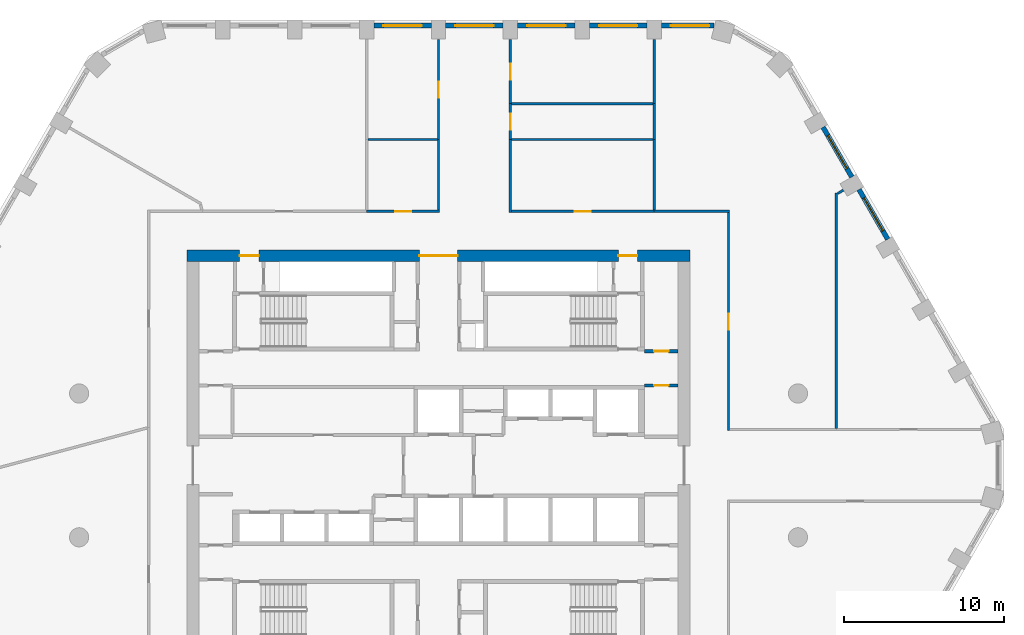
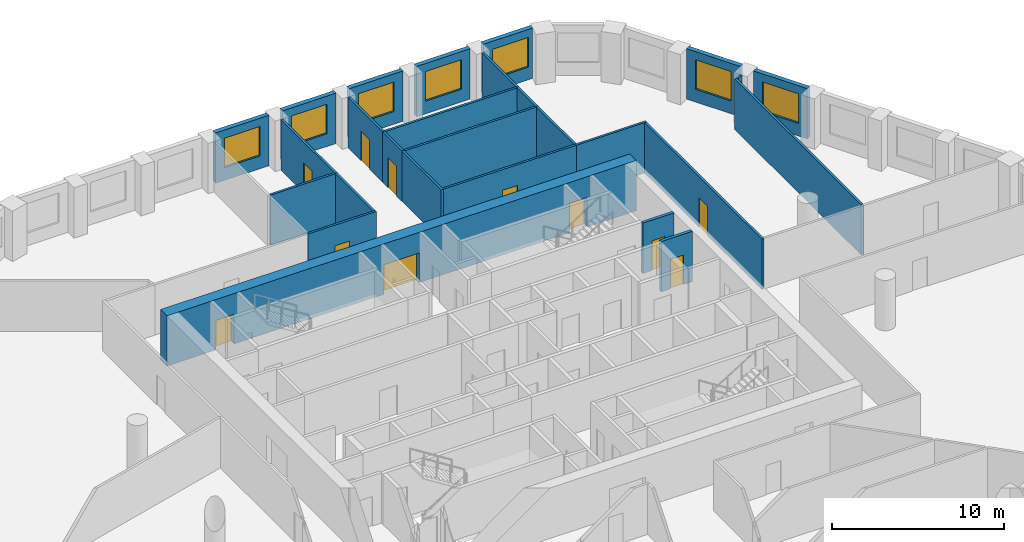
# One storey, part 7 of 9: 27 walls, 11 doors, 7 windows, 18 openings.
"""IFC4 building model written with IfcOpenShell, lengths in metres."""

from ifc_helpers import new_model, si_unit, direction, frame, frame_2d, origin, place, context, subcontext, project, spatial, rectangle, extrude, material, layer, layer_set, type_object, element, fill, save


model = new_model("IFC4")

# Units and contexts
model_context = context("Model", 3, precision=1e-05, world=origin(), true_north=direction((0.0, 1.0)))
body_context = subcontext(model_context, "Body", "Model", "MODEL_VIEW")
ifc_project = project(units=[si_unit("LENGTHUNIT", "METRE"), si_unit("AREAUNIT", "SQUARE_METRE"), si_unit("VOLUMEUNIT", "CUBIC_METRE"), si_unit("PLANEANGLEUNIT", "RADIAN"), si_unit("MASSUNIT", "GRAM", prefix="KILO")], contexts=[model_context])

# Site, building, storey
site_placement = place(None, origin())
site = spatial("IfcSite", under=ifc_project, at=site_placement, CompositionType="ELEMENT")
building_placement = place(site_placement, origin())
building = spatial("IfcBuilding", under=site, at=building_placement, Name="Dhurran Vertical Campus", CompositionType="ELEMENT")
storey_placement = place(building_placement, frame((0.0, 0.0, 171.60009765625)))
storey = spatial("IfcBuildingStorey", under=building, at=storey_placement, Name="L42", CompositionType="ELEMENT", Elevation=171.60009765625)

# Wall, opening, window
ifc_material_1 = material(Name="Precast concrete C50/60", Category="concrete")
ifc_layer_1 = layer(ifc_material_1, 0.300048828125)
ifc_layer_set_1 = layer_set([ifc_layer_1], Name="Precast concrete C50/60")
wall_type_1 = type_object("IfcWallType", Name="Precast spandrel wall 300", PredefinedType="SOLIDWALL", material=ifc_layer_set_1)
wall_1_placement = place(storey_placement, frame((28.118896484375, 14.156494140625, 0.0), z_axis=(0.0, 0.0, 1.0), x_axis=(-0.500027802648, 0.866009351323, 0.0)))
wall_1 = element("IfcWall", 1, at=wall_1_placement, inside=storey, type_object=wall_type_1, Name="EW1 L42.19", PredefinedType="SOLIDWALL", context=body_context, shape_type="SweptSolid", body=[
    extrude(rectangle(XDim=3.598876953125, YDim=0.300048828125, at=frame_2d((1.79931640625, 0.0))), origin(), (0.0, 0.0, 1.0), 3.574951171875),
])
opening_1_placement = place(wall_1_placement, frame((0.599609375, 0.0, 0.89990234375)))
opening_1 = element("IfcOpeningElement", 2, at=opening_1_placement, cuts=wall_1, Name="Opening WT1", PredefinedType="OPENING", context=body_context, shape_type="SweptSolid", body=[
    extrude(rectangle(XDim=2.39990234375, YDim=2.10009765625, at=frame_2d((1.199951171875, 1.050048828125))), frame((0.0, 0.159912109375, 0.0), z_axis=(0.0, -1.0, 0.0), x_axis=(1.0, 0.0, 0.0)), (0.0, 0.0, 1.0), 0.320068359375),
])
ifc_material_2 = material(Name="Aluminium frame with solar-control glass", Category="aluminium")
window_type = type_object("IfcWindowType", Name="Punched window 2400 x 2100", PartitioningType="SINGLE_PANEL", PredefinedType="WINDOW", material=ifc_material_2)
window_1_placement = place(opening_1_placement, origin())
window_1 = element("IfcWindow", 3, at=window_1_placement, inside=storey, type_object=window_type, Name="WT1 L42.19", OverallHeight=2.10009765625, OverallWidth=2.39990234375, PartitioningType="SINGLE_PANEL", PredefinedType="WINDOW", context=body_context, shape_type="SweptSolid", body=[
    extrude(rectangle(XDim=2.39990234375, YDim=2.10009765625, at=frame_2d((1.199951171875, 1.050048828125))), frame((0.0, 0.030029296875, 0.0), z_axis=(0.0, -1.0, 0.0), x_axis=(1.0, 0.0, 0.0)), (0.0, 0.0, 1.0), 0.06005859375),
])
fill(opening_1, window_1)

wall_2_placement = place(storey_placement, frame((25.868896484375, 18.0537109375, 0.0), z_axis=(0.0, 0.0, 1.0), x_axis=(-0.500027802648, 0.866009351323, 0.0)))
wall_2 = element("IfcWall", 4, at=wall_2_placement, inside=storey, type_object=wall_type_1, Name="EW1 L42.20", PredefinedType="SOLIDWALL", context=body_context, shape_type="SweptSolid", body=[
    extrude(rectangle(XDim=3.598876953125, YDim=0.300048828125, at=frame_2d((1.79931640625, 0.0))), origin(), (0.0, 0.0, 1.0), 3.574951171875),
])
opening_2_placement = place(wall_2_placement, frame((0.599609375, 0.0, 0.89990234375)))
opening_2 = element("IfcOpeningElement", 5, at=opening_2_placement, cuts=wall_2, Name="Opening WT1", PredefinedType="OPENING", context=body_context, shape_type="SweptSolid", body=[
    extrude(rectangle(XDim=2.39990234375, YDim=2.10009765625, at=frame_2d((1.199951171875, 1.050048828125))), frame((0.0, 0.159912109375, 0.0), z_axis=(0.0, -1.0, 0.0), x_axis=(1.0, 0.0, 0.0)), (0.0, 0.0, 1.0), 0.320068359375),
])
window_2_placement = place(opening_2_placement, origin())
window_2 = element("IfcWindow", 6, at=window_2_placement, inside=storey, type_object=window_type, Name="WT1 L42.20", OverallHeight=2.10009765625, OverallWidth=2.39990234375, PartitioningType="SINGLE_PANEL", PredefinedType="WINDOW", context=body_context, shape_type="SweptSolid", body=[
    extrude(rectangle(XDim=2.39990234375, YDim=2.10009765625, at=frame_2d((1.199951171875, 1.050048828125))), frame((0.0, 0.030029296875, 0.0), z_axis=(0.0, -1.0, 0.0), x_axis=(1.0, 0.0, 0.0)), (0.0, 0.0, 1.0), 0.06005859375),
])
fill(opening_2, window_2)

wall_3_placement = place(storey_placement, frame((17.24462890625, 27.53271484375, 0.0), z_axis=(0.0, 0.0, 1.0), x_axis=(-1.0, 0.0, 0.0)))
wall_3 = element("IfcWall", 7, at=wall_3_placement, inside=storey, type_object=wall_type_1, Name="EW1 L42.23", PredefinedType="SOLIDWALL", context=body_context, shape_type="SweptSolid", body=[
    extrude(rectangle(XDim=3.294189453125, YDim=0.300048828125, at=frame_2d((1.64697265625, 0.0))), origin(), (0.0, 0.0, 1.0), 3.574951171875),
])
opening_3_placement = place(wall_3_placement, frame((0.294677734375, 0.0, 0.89990234375)))
opening_3 = element("IfcOpeningElement", 8, at=opening_3_placement, cuts=wall_3, Name="Opening WT1", PredefinedType="OPENING", context=body_context, shape_type="SweptSolid", body=[
    extrude(rectangle(XDim=2.39990234375, YDim=2.10009765625, at=frame_2d((1.199951171875, 1.050048828125))), frame((0.0, 0.159912109375, 0.0), z_axis=(0.0, -1.0, 0.0), x_axis=(1.0, 0.0, 0.0)), (0.0, 0.0, 1.0), 0.320068359375),
])
window_3_placement = place(opening_3_placement, origin())
window_3 = element("IfcWindow", 9, at=window_3_placement, inside=storey, type_object=window_type, Name="WT1 L42.23", OverallHeight=2.10009765625, OverallWidth=2.39990234375, PartitioningType="SINGLE_PANEL", PredefinedType="WINDOW", context=body_context, shape_type="SweptSolid", body=[
    extrude(rectangle(XDim=2.39990234375, YDim=2.10009765625, at=frame_2d((1.199951171875, 1.050048828125))), frame((0.0, 0.030029296875, 0.0), z_axis=(0.0, -1.0, 0.0), x_axis=(1.0, 0.0, 0.0)), (0.0, 0.0, 1.0), 0.06005859375),
])
fill(opening_3, window_3)

wall_4_placement = place(storey_placement, frame((13.049560546875, 27.53271484375, 0.0), z_axis=(0.0, 0.0, 1.0), x_axis=(-1.0, 0.0, 0.0)))
wall_4 = element("IfcWall", 10, at=wall_4_placement, inside=storey, type_object=wall_type_1, Name="EW1 L42.24", PredefinedType="SOLIDWALL", context=body_context, shape_type="SweptSolid", body=[
    extrude(rectangle(XDim=3.59912109375, YDim=0.300048828125, at=frame_2d((1.799560546875, 0.0))), origin(), (0.0, 0.0, 1.0), 3.574951171875),
])
opening_4_placement = place(wall_4_placement, frame((0.599609375, 0.0, 0.89990234375)))
opening_4 = element("IfcOpeningElement", 11, at=opening_4_placement, cuts=wall_4, Name="Opening WT1", PredefinedType="OPENING", context=body_context, shape_type="SweptSolid", body=[
    extrude(rectangle(XDim=2.39990234375, YDim=2.10009765625, at=frame_2d((1.199951171875, 1.050048828125))), frame((0.0, 0.159912109375, 0.0), z_axis=(0.0, -1.0, 0.0), x_axis=(1.0, 0.0, 0.0)), (0.0, 0.0, 1.0), 0.320068359375),
])
window_4_placement = place(opening_4_placement, origin())
window_4 = element("IfcWindow", 12, at=window_4_placement, inside=storey, type_object=window_type, Name="WT1 L42.24", OverallHeight=2.10009765625, OverallWidth=2.39990234375, PartitioningType="SINGLE_PANEL", PredefinedType="WINDOW", context=body_context, shape_type="SweptSolid", body=[
    extrude(rectangle(XDim=2.39990234375, YDim=2.10009765625, at=frame_2d((1.199951171875, 1.050048828125))), frame((0.0, 0.030029296875, 0.0), z_axis=(0.0, -1.0, 0.0), x_axis=(1.0, 0.0, 0.0)), (0.0, 0.0, 1.0), 0.06005859375),
])
fill(opening_4, window_4)

wall_5_placement = place(storey_placement, frame((8.549560546875, 27.53271484375, 0.0), z_axis=(0.0, 0.0, 1.0), x_axis=(-1.0, 0.0, 0.0)))
wall_5 = element("IfcWall", 13, at=wall_5_placement, inside=storey, type_object=wall_type_1, Name="EW1 L42.25", PredefinedType="SOLIDWALL", context=body_context, shape_type="SweptSolid", body=[
    extrude(rectangle(XDim=3.59912109375, YDim=0.300048828125, at=frame_2d((1.799560546875, 0.0))), origin(), (0.0, 0.0, 1.0), 3.574951171875),
])
opening_5_placement = place(wall_5_placement, frame((0.599609375, 0.0, 0.89990234375)))
opening_5 = element("IfcOpeningElement", 14, at=opening_5_placement, cuts=wall_5, Name="Opening WT1", PredefinedType="OPENING", context=body_context, shape_type="SweptSolid", body=[
    extrude(rectangle(XDim=2.39990234375, YDim=2.10009765625, at=frame_2d((1.199951171875, 1.050048828125))), frame((0.0, 0.159912109375, 0.0), z_axis=(0.0, -1.0, 0.0), x_axis=(1.0, 0.0, 0.0)), (0.0, 0.0, 1.0), 0.320068359375),
])
window_5_placement = place(opening_5_placement, origin())
window_5 = element("IfcWindow", 15, at=window_5_placement, inside=storey, type_object=window_type, Name="WT1 L42.25", OverallHeight=2.10009765625, OverallWidth=2.39990234375, PartitioningType="SINGLE_PANEL", PredefinedType="WINDOW", context=body_context, shape_type="SweptSolid", body=[
    extrude(rectangle(XDim=2.39990234375, YDim=2.10009765625, at=frame_2d((1.199951171875, 1.050048828125))), frame((0.0, 0.030029296875, 0.0), z_axis=(0.0, -1.0, 0.0), x_axis=(1.0, 0.0, 0.0)), (0.0, 0.0, 1.0), 0.06005859375),
])
fill(opening_5, window_5)

wall_6_placement = place(storey_placement, frame((4.049560546875, 27.53271484375, 0.0), z_axis=(0.0, 0.0, 1.0), x_axis=(-1.0, 0.0, 0.0)))
wall_6 = element("IfcWall", 16, at=wall_6_placement, inside=storey, type_object=wall_type_1, Name="EW1 L42.26", PredefinedType="SOLIDWALL", context=body_context, shape_type="SweptSolid", body=[
    extrude(rectangle(XDim=3.59912109375, YDim=0.300048828125, at=frame_2d((1.799560546875, 0.0))), origin(), (0.0, 0.0, 1.0), 3.574951171875),
])
opening_6_placement = place(wall_6_placement, frame((0.599609375, 0.0, 0.89990234375)))
opening_6 = element("IfcOpeningElement", 17, at=opening_6_placement, cuts=wall_6, Name="Opening WT1", PredefinedType="OPENING", context=body_context, shape_type="SweptSolid", body=[
    extrude(rectangle(XDim=2.39990234375, YDim=2.10009765625, at=frame_2d((1.199951171875, 1.050048828125))), frame((0.0, 0.159912109375, 0.0), z_axis=(0.0, -1.0, 0.0), x_axis=(1.0, 0.0, 0.0)), (0.0, 0.0, 1.0), 0.320068359375),
])
window_6_placement = place(opening_6_placement, origin())
window_6 = element("IfcWindow", 18, at=window_6_placement, inside=storey, type_object=window_type, Name="WT1 L42.26", OverallHeight=2.10009765625, OverallWidth=2.39990234375, PartitioningType="SINGLE_PANEL", PredefinedType="WINDOW", context=body_context, shape_type="SweptSolid", body=[
    extrude(rectangle(XDim=2.39990234375, YDim=2.10009765625, at=frame_2d((1.199951171875, 1.050048828125))), frame((0.0, 0.030029296875, 0.0), z_axis=(0.0, -1.0, 0.0), x_axis=(1.0, 0.0, 0.0)), (0.0, 0.0, 1.0), 0.06005859375),
])
fill(opening_6, window_6)

wall_7_placement = place(storey_placement, frame((-0.450439453125, 27.53271484375, 0.0), z_axis=(0.0, 0.0, 1.0), x_axis=(-1.0, 0.0, 0.0)))
wall_7 = element("IfcWall", 19, at=wall_7_placement, inside=storey, type_object=wall_type_1, Name="EW1 L42.27", PredefinedType="SOLIDWALL", context=body_context, shape_type="SweptSolid", body=[
    extrude(rectangle(XDim=3.59912109375, YDim=0.300048828125, at=frame_2d((1.799560546875, 0.0))), origin(), (0.0, 0.0, 1.0), 3.574951171875),
])
opening_7_placement = place(wall_7_placement, frame((0.599609375, 0.0, 0.89990234375)))
opening_7 = element("IfcOpeningElement", 20, at=opening_7_placement, cuts=wall_7, Name="Opening WT1", PredefinedType="OPENING", context=body_context, shape_type="SweptSolid", body=[
    extrude(rectangle(XDim=2.39990234375, YDim=2.10009765625, at=frame_2d((1.199951171875, 1.050048828125))), frame((0.0, 0.159912109375, 0.0), z_axis=(0.0, -1.0, 0.0), x_axis=(1.0, 0.0, 0.0)), (0.0, 0.0, 1.0), 0.320068359375),
])
window_7_placement = place(opening_7_placement, origin())
window_7 = element("IfcWindow", 21, at=window_7_placement, inside=storey, type_object=window_type, Name="WT1 L42.27", OverallHeight=2.10009765625, OverallWidth=2.39990234375, PartitioningType="SINGLE_PANEL", PredefinedType="WINDOW", context=body_context, shape_type="SweptSolid", body=[
    extrude(rectangle(XDim=2.39990234375, YDim=2.10009765625, at=frame_2d((1.199951171875, 1.050048828125))), frame((0.0, 0.030029296875, 0.0), z_axis=(0.0, -1.0, 0.0), x_axis=(1.0, 0.0, 0.0)), (0.0, 0.0, 1.0), 0.06005859375),
])
fill(opening_7, window_7)

# Wall, openings, doors
ifc_material_3 = material(Name="Concrete C60/75", Category="concrete")
ifc_layer_2 = layer(ifc_material_3, 0.75)
ifc_layer_set_2 = layer_set([ifc_layer_2], Name="Concrete C60/75")
wall_type_2 = type_object("IfcWallType", Name="co-CORE-WALL-C1-750", PredefinedType="SHEAR", material=ifc_layer_set_2)
wall_8_placement = place(storey_placement, frame((-15.75, 13.125, 0.0), z_axis=(0.0, 0.0, 1.0), x_axis=(1.0, 0.0, 0.0)))
wall_8 = element("IfcWall", 22, at=wall_8_placement, inside=storey, type_object=wall_type_2, Name="Core wall N L42", PredefinedType="SHEAR", context=body_context, shape_type="SweptSolid", body=[
    extrude(rectangle(XDim=31.5, YDim=0.75, at=frame_2d((15.75, 0.0))), origin(), (0.0, 0.0, 1.0), 3.574951171875),
])
opening_8_placement = place(wall_8_placement, frame((14.550048828125, 0.0, 0.0)))
opening_8 = element("IfcOpeningElement", 23, at=opening_8_placement, cuts=wall_8, Name="Opening CV1", PredefinedType="OPENING", context=body_context, shape_type="SweptSolid", body=[
    extrude(rectangle(XDim=2.39990234375, YDim=2.10009765625, at=frame_2d((1.199951171875, 1.050048828125))), frame((0.0, 0.385009765625, 0.0), z_axis=(0.0, -1.0, 0.0), x_axis=(1.0, 0.0, 0.0)), (0.0, 0.0, 1.0), 0.77001953125),
])
opening_9_placement = place(wall_8_placement, frame((3.300048828125, 0.0, 0.0)))
opening_9 = element("IfcOpeningElement", 24, at=opening_9_placement, cuts=wall_8, Name="Opening XD1", PredefinedType="OPENING", context=body_context, shape_type="SweptSolid", body=[
    extrude(rectangle(XDim=1.199951171875, YDim=2.10009765625, at=frame_2d((0.60009765625, 1.050048828125))), frame((0.0, 0.385009765625, 0.0), z_axis=(0.0, -1.0, 0.0), x_axis=(1.0, 0.0, 0.0)), (0.0, 0.0, 1.0), 0.77001953125),
])
opening_10_placement = place(wall_8_placement, frame((27.0, 0.0, 0.0)))
opening_10 = element("IfcOpeningElement", 25, at=opening_10_placement, cuts=wall_8, Name="Opening XD2", PredefinedType="OPENING", context=body_context, shape_type="SweptSolid", body=[
    extrude(rectangle(XDim=1.199951171875, YDim=2.10009765625, at=frame_2d((0.60009765625, 1.050048828125))), frame((0.0, 0.385009765625, 0.0), z_axis=(0.0, -1.0, 0.0), x_axis=(1.0, 0.0, 0.0)), (0.0, 0.0, 1.0), 0.77001953125),
])
ifc_material_4 = material(Name="Fire-rated glazed door set")
door_type_1 = type_object("IfcDoorType", Name="co-D-LOBBY 2400x2100", OperationType="DOUBLE_DOOR_DOUBLE_SWING", PredefinedType="DOOR", material=ifc_material_4)
door_1_placement = place(opening_8_placement, origin())
door_1 = element("IfcDoor", 26, at=door_1_placement, inside=storey, type_object=door_type_1, Name="Core vestibule door N L42", OperationType="DOUBLE_DOOR_DOUBLE_SWING", OverallHeight=2.10009765625, OverallWidth=2.39990234375, PredefinedType="DOOR", context=body_context, shape_type="SweptSolid", body=[
    extrude(rectangle(XDim=2.39990234375, YDim=2.10009765625, at=frame_2d((1.199951171875, 1.050048828125))), frame((0.0, 0.02490234375, 0.0), z_axis=(0.0, -1.0, 0.0), x_axis=(1.0, 0.0, 0.0)), (0.0, 0.0, 1.0), 0.050048828125),
])
fill(opening_8, door_1)
ifc_material_5 = material(Name="Fire-rated steel door set", Category="steel")
door_type_2 = type_object("IfcDoorType", Name="co-D-STAIR-EXIT 1200x2100", OperationType="SINGLE_SWING_RIGHT", PredefinedType="DOOR", material=ifc_material_5)
door_2_placement = place(opening_9_placement, origin())
door_2 = element("IfcDoor", 27, at=door_2_placement, inside=storey, type_object=door_type_2, Name="Stair ST1 exit door L42", OperationType="SINGLE_SWING_RIGHT", OverallHeight=2.10009765625, OverallWidth=1.199951171875, PredefinedType="DOOR", context=body_context, shape_type="SweptSolid", body=[
    extrude(rectangle(XDim=1.199951171875, YDim=2.10009765625, at=frame_2d((0.60009765625, 1.050048828125))), frame((0.0, 0.02490234375, 0.0), z_axis=(0.0, -1.0, 0.0), x_axis=(1.0, 0.0, 0.0)), (0.0, 0.0, 1.0), 0.050048828125),
])
fill(opening_9, door_2)
door_3_placement = place(opening_10_placement, origin())
door_3 = element("IfcDoor", 28, at=door_3_placement, inside=storey, type_object=door_type_2, Name="Stair ST2 exit door L42", OperationType="SINGLE_SWING_RIGHT", OverallHeight=2.10009765625, OverallWidth=1.199951171875, PredefinedType="DOOR", context=body_context, shape_type="SweptSolid", body=[
    extrude(rectangle(XDim=1.199951171875, YDim=2.10009765625, at=frame_2d((0.60009765625, 1.050048828125))), frame((0.0, 0.02490234375, 0.0), z_axis=(0.0, -1.0, 0.0), x_axis=(1.0, 0.0, 0.0)), (0.0, 0.0, 1.0), 0.050048828125),
])
fill(opening_10, door_3)

# Wall, opening, door
ifc_material_6 = material(Name="Fire-rated masonry blockwork", Category="masonry")
ifc_layer_3 = layer(ifc_material_6, 0.199951171875)
ifc_layer_set_3 = layer_set([ifc_layer_3], Name="Fire-rated masonry blockwork")
wall_type_3 = type_object("IfcWallType", Name="co-FIRE-PARTITION-200", PredefinedType="PARTITIONING", material=ifc_layer_set_3)
wall_9_placement = place(storey_placement, frame((12.89990234375, 7.14990234375, 0.0), z_axis=(0.0, 0.0, 1.0), x_axis=(1.0, 0.0, 0.0)))
wall_9 = element("IfcWall", 29, at=wall_9_placement, inside=storey, type_object=wall_type_3, Name="Core partition en-NE-w L42", PredefinedType="PARTITIONING", context=body_context, shape_type="SweptSolid", body=[
    extrude(rectangle(XDim=2.10009765625, YDim=0.199951171875, at=frame_2d((1.050048828125, 0.0))), origin(), (0.0, 0.0, 1.0), 3.574951171875),
])
opening_11_placement = place(wall_9_placement, frame((0.60009765625, 0.0, 0.0)))
opening_11 = element("IfcOpeningElement", 30, at=opening_11_placement, cuts=wall_9, Name="Opening T12-C16", PredefinedType="OPENING", context=body_context, shape_type="SweptSolid", body=[
    extrude(rectangle(XDim=0.89990234375, YDim=2.10009765625, at=frame_2d((0.449951171875, 1.050048828125))), frame((0.0, 0.10986328125, 0.0), z_axis=(0.0, -1.0, 0.0), x_axis=(1.0, 0.0, 0.0)), (0.0, 0.0, 1.0), 0.219970703125),
])
ifc_material_7 = material(Name="Fire-rated timber door set", Category="wood")
door_type_3 = type_object("IfcDoorType", Name="co-D-ROOM 900x2100", OperationType="SINGLE_SWING_LEFT", PredefinedType="DOOR", material=ifc_material_7)
door_4_placement = place(opening_11_placement, origin())
door_4 = element("IfcDoor", 31, at=door_4_placement, inside=storey, type_object=door_type_3, Name="Server room door L42", OperationType="SINGLE_SWING_LEFT", OverallHeight=2.10009765625, OverallWidth=0.89990234375, PredefinedType="DOOR", context=body_context, shape_type="SweptSolid", body=[
    extrude(rectangle(XDim=0.89990234375, YDim=2.10009765625, at=frame_2d((0.449951171875, 1.050048828125))), frame((0.0, 0.02490234375, 0.0), z_axis=(0.0, -1.0, 0.0), x_axis=(1.0, 0.0, 0.0)), (0.0, 0.0, 1.0), 0.050048828125),
])
fill(opening_11, door_4)

wall_10_placement = place(storey_placement, frame((12.89990234375, 5.0, 0.0), z_axis=(0.0, 0.0, 1.0), x_axis=(1.0, 0.0, 0.0)))
wall_10 = element("IfcWall", 32, at=wall_10_placement, inside=storey, type_object=wall_type_3, Name="Core partition es-NE-w L42", PredefinedType="PARTITIONING", context=body_context, shape_type="SweptSolid", body=[
    extrude(rectangle(XDim=2.10009765625, YDim=0.199951171875, at=frame_2d((1.050048828125, 0.0))), origin(), (0.0, 0.0, 1.0), 3.574951171875),
])
opening_12_placement = place(wall_10_placement, frame((0.60009765625, 0.0, 0.0)))
opening_12 = element("IfcOpeningElement", 33, at=opening_12_placement, cuts=wall_10, Name="Opening T12-C17", PredefinedType="OPENING", context=body_context, shape_type="SweptSolid", body=[
    extrude(rectangle(XDim=0.89990234375, YDim=2.10009765625, at=frame_2d((0.449951171875, 1.050048828125))), frame((0.0, 0.10986328125, 0.0), z_axis=(0.0, -1.0, 0.0), x_axis=(1.0, 0.0, 0.0)), (0.0, 0.0, 1.0), 0.219970703125),
])
door_5_placement = place(opening_12_placement, origin())
door_5 = element("IfcDoor", 34, at=door_5_placement, inside=storey, type_object=door_type_3, Name="Communications room door L42", OperationType="SINGLE_SWING_LEFT", OverallHeight=2.10009765625, OverallWidth=0.89990234375, PredefinedType="DOOR", context=body_context, shape_type="SweptSolid", body=[
    extrude(rectangle(XDim=0.89990234375, YDim=2.10009765625, at=frame_2d((0.449951171875, 1.050048828125))), frame((0.0, 0.02490234375, 0.0), z_axis=(0.0, -1.0, 0.0), x_axis=(1.0, 0.0, 0.0)), (0.0, 0.0, 1.0), 0.050048828125),
])
fill(opening_12, door_5)

ifc_material_8 = material(Name="Gypsum board corridor wall on steel studs", Category="steel")
ifc_layer_4 = layer(ifc_material_8, 0.14990234375)
ifc_layer_set_4 = layer_set([ifc_layer_4], Name="Gypsum board corridor wall on steel studs")
wall_type_4 = type_object("IfcWallType", Name="fl-CW-150 corridor wall", PredefinedType="PARTITIONING", material=ifc_layer_set_4)
wall_11_placement = place(storey_placement, frame((0.074951171875, 15.89990234375, 0.0), z_axis=(0.0, 0.0, 1.0), x_axis=(-1.0, 0.0, 0.0)))
wall_11 = element("IfcWall", 35, at=wall_11_placement, inside=storey, type_object=wall_type_4, Name="Partition 42-17", PredefinedType="PARTITIONING", context=body_context, shape_type="SweptSolid", body=[
    extrude(rectangle(XDim=4.574951171875, YDim=0.14990234375, at=frame_2d((2.28759765625, 0.0))), origin(), (0.0, 0.0, 1.0), 3.574951171875),
])
opening_13_placement = place(wall_11_placement, frame((1.78759765625, 0.0, 0.0)))
opening_13 = element("IfcOpeningElement", 36, at=opening_13_placement, cuts=wall_11, Name="Opening T12.07", PredefinedType="OPENING", context=body_context, shape_type="SweptSolid", body=[
    extrude(rectangle(XDim=1.0, YDim=2.10009765625, at=frame_2d((0.5, 1.050048828125))), frame((0.0, 0.0849609375, 0.0), z_axis=(0.0, -1.0, 0.0), x_axis=(1.0, 0.0, 0.0)), (0.0, 0.0, 1.0), 0.169921875),
])
ifc_material_9 = material(Name="Solid-core timber door set, fire-rated", Category="wood")
door_type_4 = type_object("IfcDoorType", Name="fl-D-1000x2100", OperationType="SINGLE_SWING_LEFT", PredefinedType="DOOR", material=ifc_material_9)
door_6_placement = place(opening_13_placement, origin())
door_6 = element("IfcDoor", 37, at=door_6_placement, inside=storey, type_object=door_type_4, Name="Door 42.07", OperationType="SINGLE_SWING_RIGHT", OverallHeight=2.10009765625, OverallWidth=1.0, PredefinedType="DOOR", context=body_context, shape_type="SweptSolid", body=[
    extrude(rectangle(XDim=1.0, YDim=2.10009765625, at=frame_2d((0.5, 1.050048828125))), frame((0.0, 0.02490234375, 0.0), z_axis=(0.0, -1.0, 0.0), x_axis=(1.0, 0.0, 0.0)), (0.0, 0.0, 1.0), 0.050048828125),
])
fill(opening_13, door_6)

# Wall
wall_12_placement = place(storey_placement, frame((0.0, 15.97509765625, 0.0), z_axis=(0.0, 0.0, 1.0), x_axis=(0.0, 1.0, 0.0)))
element("IfcWall", 38, at=wall_12_placement, inside=storey, type_object=wall_type_4, Name="Partition 42-22", PredefinedType="PARTITIONING", context=body_context, shape_type="SweptSolid", body=[
    extrude(rectangle(XDim=4.4248046875, YDim=0.14990234375, at=frame_2d((2.21240234375, 0.0))), origin(), (0.0, 0.0, 1.0), 3.574951171875),
])

# Wall, opening, door
wall_13_placement = place(storey_placement, frame((0.0, 20.39990234375, 0.0), z_axis=(0.0, 0.0, 1.0), x_axis=(0.0, 1.0, 0.0)))
wall_13 = element("IfcWall", 39, at=wall_13_placement, inside=storey, type_object=wall_type_4, Name="Partition 42-23", PredefinedType="PARTITIONING", context=body_context, shape_type="SweptSolid", body=[
    extrude(rectangle(XDim=6.2626953125, YDim=0.14990234375, at=frame_2d((3.13134765625, 0.0))), origin(), (0.0, 0.0, 1.0), 3.574951171875),
])
opening_14_placement = place(wall_13_placement, frame((2.63134765625, 0.0, 0.0)))
opening_14 = element("IfcOpeningElement", 40, at=opening_14_placement, cuts=wall_13, Name="Opening T12.08", PredefinedType="OPENING", context=body_context, shape_type="SweptSolid", body=[
    extrude(rectangle(XDim=1.0, YDim=2.10009765625, at=frame_2d((0.5, 1.050048828125))), frame((0.0, 0.0849609375, 0.0), z_axis=(0.0, -1.0, 0.0), x_axis=(1.0, 0.0, 0.0)), (0.0, 0.0, 1.0), 0.169921875),
])
door_7_placement = place(opening_14_placement, origin())
door_7 = element("IfcDoor", 41, at=door_7_placement, inside=storey, type_object=door_type_4, Name="Door 42.08", OperationType="SINGLE_SWING_RIGHT", OverallHeight=2.10009765625, OverallWidth=1.0, PredefinedType="DOOR", context=body_context, shape_type="SweptSolid", body=[
    extrude(rectangle(XDim=1.0, YDim=2.10009765625, at=frame_2d((0.5, 1.050048828125))), frame((0.0, 0.02490234375, 0.0), z_axis=(0.0, -1.0, 0.0), x_axis=(1.0, 0.0, 0.0)), (0.0, 0.0, 1.0), 0.050048828125),
])
fill(opening_14, door_7)

# Wall
wall_14_placement = place(storey_placement, frame((4.5, 20.39990234375, 0.0), z_axis=(0.0, 0.0, 1.0), x_axis=(0.0, -1.0, 0.0)))
element("IfcWall", 42, at=wall_14_placement, inside=storey, type_object=wall_type_4, Name="Partition 42-30", PredefinedType="PARTITIONING", context=body_context, shape_type="SweptSolid", body=[
    extrude(rectangle(XDim=4.574951171875, YDim=0.14990234375, at=frame_2d((2.28759765625, 0.0))), origin(), (0.0, 0.0, 1.0), 3.574951171875),
])

# Wall, opening, door
wall_15_placement = place(storey_placement, frame((13.5, 15.89990234375, 0.0), z_axis=(0.0, 0.0, 1.0), x_axis=(-1.0, 0.0, 0.0)))
wall_15 = element("IfcWall", 43, at=wall_15_placement, inside=storey, type_object=wall_type_4, Name="Partition 42-31", PredefinedType="PARTITIONING", context=body_context, shape_type="SweptSolid", body=[
    extrude(rectangle(XDim=8.925048828125, YDim=0.14990234375, at=frame_2d((4.46240234375, 0.0))), origin(), (0.0, 0.0, 1.0), 3.574951171875),
])
opening_15_placement = place(wall_15_placement, frame((3.96240234375, 0.0, 0.0)))
opening_15 = element("IfcOpeningElement", 44, at=opening_15_placement, cuts=wall_15, Name="Opening T12.09", PredefinedType="OPENING", context=body_context, shape_type="SweptSolid", body=[
    extrude(rectangle(XDim=1.0, YDim=2.10009765625, at=frame_2d((0.5, 1.050048828125))), frame((0.0, 0.0849609375, 0.0), z_axis=(0.0, -1.0, 0.0), x_axis=(1.0, 0.0, 0.0)), (0.0, 0.0, 1.0), 0.169921875),
])
door_8_placement = place(opening_15_placement, origin())
door_8 = element("IfcDoor", 45, at=door_8_placement, inside=storey, type_object=door_type_4, Name="Door 42.09", OperationType="SINGLE_SWING_LEFT", OverallHeight=2.10009765625, OverallWidth=1.0, PredefinedType="DOOR", context=body_context, shape_type="SweptSolid", body=[
    extrude(rectangle(XDim=1.0, YDim=2.10009765625, at=frame_2d((0.5, 1.050048828125))), frame((0.0, 0.02490234375, 0.0), z_axis=(0.0, -1.0, 0.0), x_axis=(1.0, 0.0, 0.0)), (0.0, 0.0, 1.0), 0.050048828125),
])
fill(opening_15, door_8)

wall_16_placement = place(storey_placement, frame((4.5, 22.64990234375, 0.0), z_axis=(0.0, 0.0, 1.0), x_axis=(0.0, -1.0, 0.0)))
wall_16 = element("IfcWall", 46, at=wall_16_placement, inside=storey, type_object=wall_type_4, Name="Partition 42-32", PredefinedType="PARTITIONING", context=body_context, shape_type="SweptSolid", body=[
    extrude(rectangle(XDim=2.25, YDim=0.14990234375, at=frame_2d((1.125, 0.0))), origin(), (0.0, 0.0, 1.0), 3.574951171875),
])
opening_16_placement = place(wall_16_placement, frame((0.625, 0.0, 0.0)))
opening_16 = element("IfcOpeningElement", 47, at=opening_16_placement, cuts=wall_16, Name="Opening T12.10", PredefinedType="OPENING", context=body_context, shape_type="SweptSolid", body=[
    extrude(rectangle(XDim=1.0, YDim=2.10009765625, at=frame_2d((0.5, 1.050048828125))), frame((0.0, 0.0849609375, 0.0), z_axis=(0.0, -1.0, 0.0), x_axis=(1.0, 0.0, 0.0)), (0.0, 0.0, 1.0), 0.169921875),
])
door_9_placement = place(opening_16_placement, origin())
door_9 = element("IfcDoor", 48, at=door_9_placement, inside=storey, type_object=door_type_4, Name="Door 42.10", OperationType="SINGLE_SWING_RIGHT", OverallHeight=2.10009765625, OverallWidth=1.0, PredefinedType="DOOR", context=body_context, shape_type="SweptSolid", body=[
    extrude(rectangle(XDim=1.0, YDim=2.10009765625, at=frame_2d((0.5, 1.050048828125))), frame((0.0, 0.02490234375, 0.0), z_axis=(0.0, -1.0, 0.0), x_axis=(1.0, 0.0, 0.0)), (0.0, 0.0, 1.0), 0.050048828125),
])
fill(opening_16, door_9)

wall_17_placement = place(storey_placement, frame((4.5, 26.66259765625, 0.0), z_axis=(0.0, 0.0, 1.0), x_axis=(0.0, -1.0, 0.0)))
wall_17 = element("IfcWall", 49, at=wall_17_placement, inside=storey, type_object=wall_type_4, Name="Partition 42-34", PredefinedType="PARTITIONING", context=body_context, shape_type="SweptSolid", body=[
    extrude(rectangle(XDim=4.0126953125, YDim=0.14990234375, at=frame_2d((2.00634765625, 0.0))), origin(), (0.0, 0.0, 1.0), 3.574951171875),
])
opening_17_placement = place(wall_17_placement, frame((1.50634765625, 0.0, 0.0)))
opening_17 = element("IfcOpeningElement", 50, at=opening_17_placement, cuts=wall_17, Name="Opening T12.11", PredefinedType="OPENING", context=body_context, shape_type="SweptSolid", body=[
    extrude(rectangle(XDim=1.0, YDim=2.10009765625, at=frame_2d((0.5, 1.050048828125))), frame((0.0, 0.0849609375, 0.0), z_axis=(0.0, -1.0, 0.0), x_axis=(1.0, 0.0, 0.0)), (0.0, 0.0, 1.0), 0.169921875),
])
door_10_placement = place(opening_17_placement, origin())
door_10 = element("IfcDoor", 51, at=door_10_placement, inside=storey, type_object=door_type_4, Name="Door 42.11", OperationType="SINGLE_SWING_LEFT", OverallHeight=2.10009765625, OverallWidth=1.0, PredefinedType="DOOR", context=body_context, shape_type="SweptSolid", body=[
    extrude(rectangle(XDim=1.0, YDim=2.10009765625, at=frame_2d((0.5, 1.050048828125))), frame((0.0, 0.02490234375, 0.0), z_axis=(0.0, -1.0, 0.0), x_axis=(1.0, 0.0, 0.0)), (0.0, 0.0, 1.0), 0.050048828125),
])
fill(opening_17, door_10)

# Wall
wall_18_placement = place(storey_placement, frame((18.22509765625, 15.89990234375, 0.0), z_axis=(0.0, 0.0, 1.0), x_axis=(-1.0, 0.0, 0.0)))
element("IfcWall", 52, at=wall_18_placement, inside=storey, type_object=wall_type_4, Name="Partition 42-39", PredefinedType="PARTITIONING", context=body_context, shape_type="SweptSolid", body=[
    extrude(rectangle(XDim=4.72509765625, YDim=0.14990234375, at=frame_2d((2.362548828125, 0.0))), origin(), (0.0, 0.0, 1.0), 3.574951171875),
])

# Wall, opening, door
wall_19_placement = place(storey_placement, frame((18.14990234375, 2.175048828125, 0.0), z_axis=(0.0, 0.0, 1.0), x_axis=(0.0, 1.0, 0.0)))
wall_19 = element("IfcWall", 53, at=wall_19_placement, inside=storey, type_object=wall_type_4, Name="Partition 42-45", PredefinedType="PARTITIONING", context=body_context, shape_type="SweptSolid", body=[
    extrude(rectangle(XDim=13.64990234375, YDim=0.14990234375, at=frame_2d((6.824951171875, 0.0))), origin(), (0.0, 0.0, 1.0), 3.574951171875),
])
opening_18_placement = place(wall_19_placement, frame((6.324951171875, 0.0, 0.0)))
opening_18 = element("IfcOpeningElement", 54, at=opening_18_placement, cuts=wall_19, Name="Opening T12.15", PredefinedType="OPENING", context=body_context, shape_type="SweptSolid", body=[
    extrude(rectangle(XDim=1.0, YDim=2.10009765625, at=frame_2d((0.5, 1.050048828125))), frame((0.0, 0.0849609375, 0.0), z_axis=(0.0, -1.0, 0.0), x_axis=(1.0, 0.0, 0.0)), (0.0, 0.0, 1.0), 0.169921875),
])
door_11_placement = place(opening_18_placement, origin())
door_11 = element("IfcDoor", 55, at=door_11_placement, inside=storey, type_object=door_type_4, Name="Door 42.15", OperationType="SINGLE_SWING_RIGHT", OverallHeight=2.10009765625, OverallWidth=1.0, PredefinedType="DOOR", context=body_context, shape_type="SweptSolid", body=[
    extrude(rectangle(XDim=1.0, YDim=2.10009765625, at=frame_2d((0.5, 1.050048828125))), frame((0.0, 0.02490234375, 0.0), z_axis=(0.0, -1.0, 0.0), x_axis=(1.0, 0.0, 0.0)), (0.0, 0.0, 1.0), 0.050048828125),
])
fill(opening_18, door_11)

# Walls
ifc_material_10 = material(Name="Gypsum board partition on steel studs", Category="steel")
ifc_layer_5 = layer(ifc_material_10, 0.14990234375)
ifc_layer_set_5 = layer_set([ifc_layer_5], Name="Gypsum board partition on steel studs")
wall_type_5 = type_object("IfcWallType", Name="fl-PW-150 fixed partition", PredefinedType="PARTITIONING", material=ifc_layer_set_5)
wall_20_placement = place(storey_placement, frame((-4.425048828125, 20.39990234375, 0.0), z_axis=(0.0, 0.0, 1.0), x_axis=(1.0, 0.0, 0.0)))
element("IfcWall", 56, at=wall_20_placement, inside=storey, type_object=wall_type_5, Name="Partition 42-19", PredefinedType="PARTITIONING", context=body_context, shape_type="SweptSolid", body=[
    extrude(rectangle(XDim=4.35009765625, YDim=0.14990234375, at=frame_2d((2.175048828125, 0.0))), origin(), (0.0, 0.0, 1.0), 3.574951171875),
])
for number, where, z_axis, x_axis, name in (
    (57, (4.574951171875, 20.39990234375, 0.0), (0.0, 0.0, 1.0), (1.0, 0.0, 0.0), "Partition 42-33"),
    (58, (4.574951171875, 22.64990234375, 0.0), (0.0, 0.0, 1.0), (1.0, 0.0, 0.0), "Partition 42-35"),
):
    element("IfcWall", number, at=place(storey_placement, frame(where, z_axis=z_axis, x_axis=x_axis)), inside=storey, type_object=wall_type_5, Name=name, PredefinedType="PARTITIONING", context=body_context, shape_type="SweptSolid", body=[
        extrude(rectangle(XDim=8.85009765625, YDim=0.14990234375, at=frame_2d((4.425048828125, 0.0))), origin(), (0.0, 0.0, 1.0), 3.574951171875),
    ])
wall_21_placement = place(storey_placement, frame((13.5, 20.39990234375, 0.0), z_axis=(0.0, 0.0, 1.0), x_axis=(0.0, -1.0, 0.0)))
element("IfcWall", 59, at=wall_21_placement, inside=storey, type_object=wall_type_5, Name="Partition 42-38", PredefinedType="PARTITIONING", context=body_context, shape_type="SweptSolid", body=[
    extrude(rectangle(XDim=4.4248046875, YDim=0.14990234375, at=frame_2d((2.21240234375, 0.0))), origin(), (0.0, 0.0, 1.0), 3.574951171875),
])
wall_22_placement = place(storey_placement, frame((13.5, 22.64990234375, 0.0), z_axis=(0.0, 0.0, 1.0), x_axis=(0.0, -1.0, 0.0)))
element("IfcWall", 60, at=wall_22_placement, inside=storey, type_object=wall_type_5, Name="Partition 42-40", PredefinedType="PARTITIONING", context=body_context, shape_type="SweptSolid", body=[
    extrude(rectangle(XDim=2.25, YDim=0.14990234375, at=frame_2d((1.125, 0.0))), origin(), (0.0, 0.0, 1.0), 3.574951171875),
])
wall_23_placement = place(storey_placement, frame((13.5, 26.66259765625, 0.0), z_axis=(0.0, 0.0, 1.0), x_axis=(0.0, -1.0, 0.0)))
element("IfcWall", 61, at=wall_23_placement, inside=storey, type_object=wall_type_5, Name="Partition 42-41", PredefinedType="PARTITIONING", context=body_context, shape_type="SweptSolid", body=[
    extrude(rectangle(XDim=4.0126953125, YDim=0.14990234375, at=frame_2d((2.00634765625, 0.0))), origin(), (0.0, 0.0, 1.0), 3.574951171875),
])
wall_24_placement = place(storey_placement, frame((24.89990234375, 17.049072265625, 0.0), z_axis=(0.0, 0.0, 1.0), x_axis=(0.0, -1.0, 0.0)))
element("IfcWall", 62, at=wall_24_placement, inside=storey, type_object=wall_type_5, Name="Partition 42-48", PredefinedType="PARTITIONING", context=body_context, shape_type="SweptSolid", body=[
    extrude(rectangle(XDim=14.72412109375, YDim=0.14990234375, at=frame_2d((7.362060546875, 0.0))), origin(), (0.0, 0.0, 1.0), 3.574951171875),
])
wall_25_placement = place(storey_placement, frame((25.3408203125, 17.228271484375, 0.0), z_axis=(0.0, 0.0, 1.0), x_axis=(-0.866066236526, -0.499929268946, 0.0)))
element("IfcWall", 63, at=wall_25_placement, inside=storey, type_object=wall_type_5, Name="Partition 42-50", PredefinedType="PARTITIONING", context=body_context, shape_type="SweptSolid", body=[
    extrude(rectangle(XDim=0.40869140625, YDim=0.14990234375, at=frame_2d((0.204345703125, 0.0))), origin(), (0.0, 0.0, 1.0), 3.574951171875),
])

save(model, "model.ifc")
